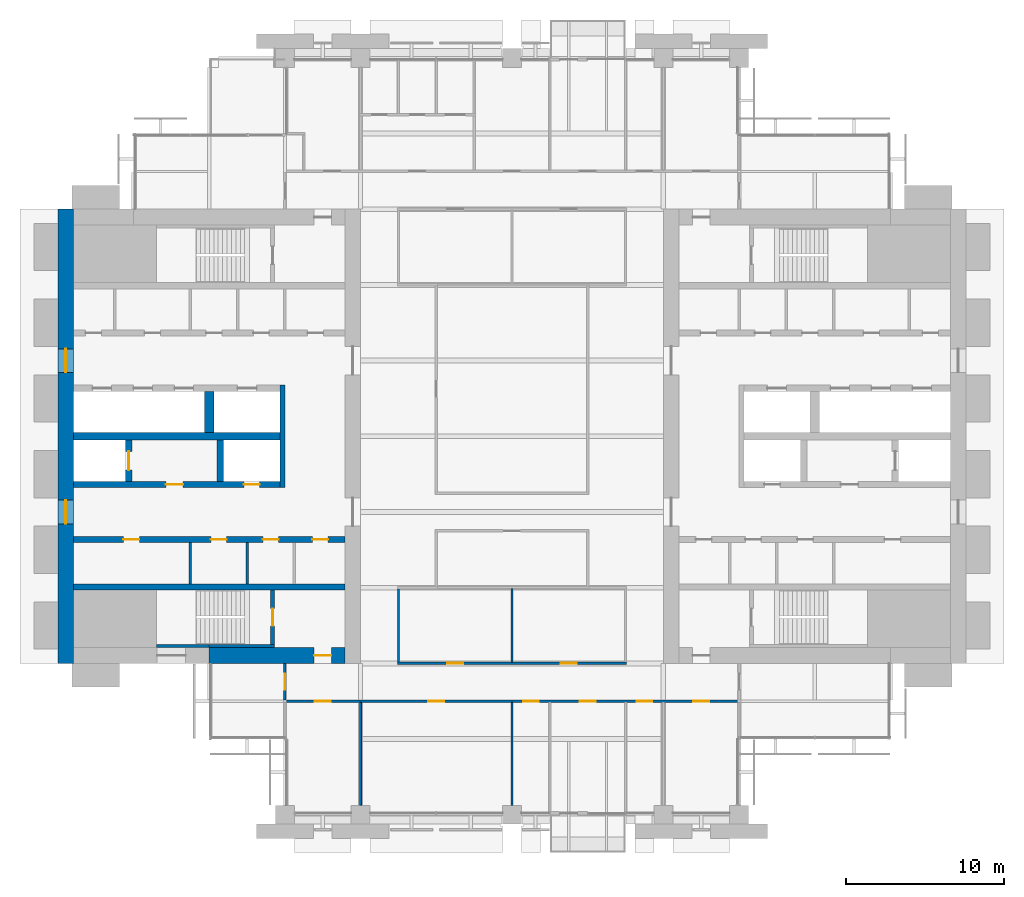
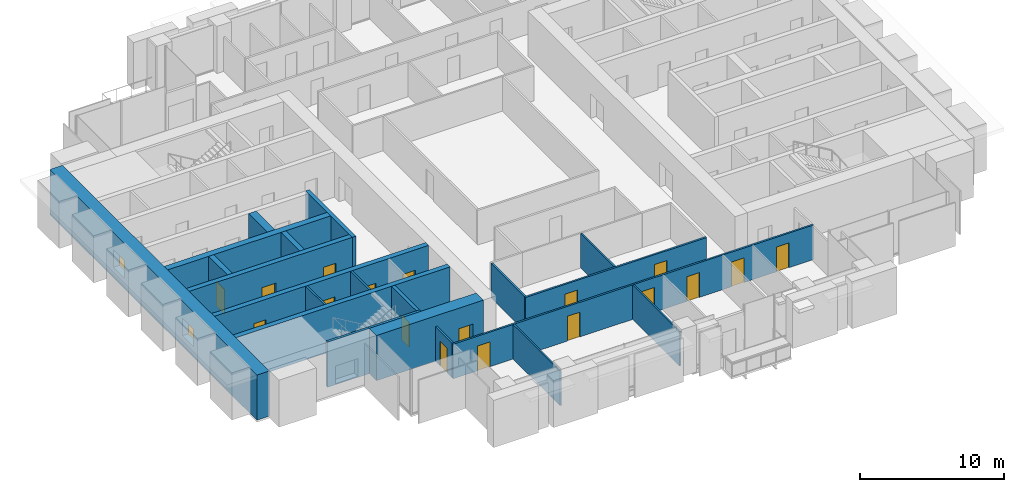
# One storey, part 9 of 15: 22 walls, 18 doors, 2 windows, 20 openings.
"""IFC4 building model written with IfcOpenShell, lengths in metres."""

from ifc_helpers import new_model, si_unit, direction, frame, frame_2d, origin, place, context, subcontext, project, spatial, rectangle, extrude, material, layer, layer_set, type_object, element, fill, save


model = new_model("IFC4")

# Units and contexts
model_context = context("Model", 3, precision=1e-05, world=origin(), true_north=direction((0.0, 1.0)))
body_context = subcontext(model_context, "Body", "Model", "MODEL_VIEW")
ifc_project = project(units=[si_unit("LENGTHUNIT", "METRE"), si_unit("AREAUNIT", "SQUARE_METRE"), si_unit("VOLUMEUNIT", "CUBIC_METRE"), si_unit("PLANEANGLEUNIT", "RADIAN"), si_unit("MASSUNIT", "GRAM", prefix="KILO")], contexts=[model_context])

# Site, building, storey
site_placement = place(None, origin())
site = spatial("IfcSite", under=ifc_project, at=site_placement, CompositionType="ELEMENT")
building_placement = place(site_placement, origin())
building = spatial("IfcBuilding", under=site, at=building_placement, Name="Baori Bourse Tower", CompositionType="ELEMENT")
storey_placement = place(building_placement, frame((0.0, 0.0, 116.10009765625)))
storey = spatial("IfcBuildingStorey", under=building, at=storey_placement, Name="L24", CompositionType="ELEMENT", Elevation=116.10009765625)

# Walls
ifc_material_1 = material(Name="Blockwork partition", Category="masonry")
ifc_layer_1 = layer(ifc_material_1, 0.14990234375)
ifc_layer_set_1 = layer_set([ifc_layer_1], Name="Core partition 150")
wall_type_1 = type_object("IfcWallType", Name="Core partition 150", PredefinedType="PARTITIONING", material=ifc_layer_set_1)
for number, where, z_axis, x_axis, name in (
    (1, (8.39990234375, 14.64990234375, 0.0), (0.0, 0.0, 1.0), (0.0, 1.0, 0.0), "Partition wall W10"),
    (2, (12.0, 14.64990234375, 0.0), (0.0, 0.0, 1.0), (0.0, 1.0, 0.0), "Partition wall W11"),
):
    element("IfcWall", number, at=place(storey_placement, frame(where, z_axis=z_axis, x_axis=x_axis)), inside=storey, type_object=wall_type_1, Name=name, PredefinedType="PARTITIONING", context=body_context, shape_type="SweptSolid", body=[
        extrude(rectangle(XDim=2.60009765625, YDim=0.14990234375, at=frame_2d((1.300048828125, 0.0))), origin(), (0.0, 0.0, 1.0), 3.83984375),
    ])

# Wall, openings, windows
ifc_material_2 = material(Name="Concrete f'c 60 MPa", Category="concrete")
ifc_layer_2 = layer(ifc_material_2, 1.0)
ifc_layer_set_2 = layer_set([ifc_layer_2], Name="Core wall 1000 f'c 60")
wall_type_2 = type_object("IfcWallType", Name="Core wall 1000 f'c 60", PredefinedType="SHEAR", material=ifc_layer_set_2)
wall_1_placement = place(storey_placement, frame((0.5, 9.60009765625, 0.0), z_axis=(0.0, 0.0, 1.0), x_axis=(0.0, 1.0, 0.0)))
wall_1 = element("IfcWall", 3, at=wall_1_placement, inside=storey, type_object=wall_type_2, Name="Core wall W01", PredefinedType="SHEAR", context=body_context, shape_type="SweptSolid", body=[
    extrude(rectangle(XDim=28.7998046875, YDim=1.0, at=frame_2d((14.39990234375, 0.0))), origin(), (0.0, 0.0, 1.0), 3.83984375),
])
opening_1_placement = place(wall_1_placement, frame((8.85009765625, 0.0, 0.89990234375)))
opening_1 = element("IfcOpeningElement", 4, at=opening_1_placement, cuts=wall_1, Name="Opening L24-KW101", PredefinedType="OPENING", context=body_context, shape_type="SweptSolid", body=[
    extrude(rectangle(XDim=1.5, YDim=1.5, at=frame_2d((0.75, 0.75))), frame((0.0, 0.510009765625, 0.0), z_axis=(0.0, -1.0, 0.0), x_axis=(1.0, 0.0, 0.0)), (0.0, 0.0, 1.0), 1.02001953125),
])
opening_2_placement = place(wall_1_placement, frame((18.449951171875, 0.0, 0.89990234375)))
opening_2 = element("IfcOpeningElement", 5, at=opening_2_placement, cuts=wall_1, Name="Opening L24-KW102", PredefinedType="OPENING", context=body_context, shape_type="SweptSolid", body=[
    extrude(rectangle(XDim=1.5, YDim=1.5, at=frame_2d((0.75, 0.75))), frame((0.0, 0.510009765625, 0.0), z_axis=(0.0, -1.0, 0.0), x_axis=(1.0, 0.0, 0.0)), (0.0, 0.0, 1.0), 1.02001953125),
])
ifc_material_3 = material(Name="Pale anodised aluminium", Category="aluminium")
window_type = type_object("IfcWindowType", Name="Lobby window 1500 x 1500", PartitioningType="SINGLE_PANEL", PredefinedType="WINDOW", material=ifc_material_3)
window_1_placement = place(opening_1_placement, origin())
window_1 = element("IfcWindow", 6, at=window_1_placement, inside=storey, type_object=window_type, Name="Outer wall window W L24 1", OverallHeight=1.5, OverallWidth=1.5, PartitioningType="SINGLE_PANEL", PredefinedType="WINDOW", context=body_context, shape_type="SweptSolid", body=[
    extrude(rectangle(XDim=1.5, YDim=1.5, at=frame_2d((0.75, 0.75))), frame((0.0, 0.030029296875, 0.0), z_axis=(0.0, -1.0, 0.0), x_axis=(1.0, 0.0, 0.0)), (0.0, 0.0, 1.0), 0.06005859375),
])
fill(opening_1, window_1)
window_2_placement = place(opening_2_placement, origin())
window_2 = element("IfcWindow", 7, at=window_2_placement, inside=storey, type_object=window_type, Name="Outer wall window W L24 2", OverallHeight=1.5, OverallWidth=1.5, PartitioningType="SINGLE_PANEL", PredefinedType="WINDOW", context=body_context, shape_type="SweptSolid", body=[
    extrude(rectangle(XDim=1.5, YDim=1.5, at=frame_2d((0.75, 0.75))), frame((0.0, 0.030029296875, 0.0), z_axis=(0.0, -1.0, 0.0), x_axis=(1.0, 0.0, 0.0)), (0.0, 0.0, 1.0), 0.06005859375),
])
fill(opening_2, window_2)

# Wall, opening, door
wall_2_placement = place(storey_placement, frame((18.199951171875, 10.10009765625, 0.0), z_axis=(0.0, 0.0, 1.0), x_axis=(-1.0, 0.0, 0.0)))
wall_2 = element("IfcWall", 8, at=wall_2_placement, inside=storey, type_object=wall_type_2, Name="Core wall W03", PredefinedType="SHEAR", context=body_context, shape_type="SweptSolid", body=[
    extrude(rectangle(XDim=8.599853515625, YDim=1.0, at=frame_2d((4.2998046875, 0.0))), origin(), (0.0, 0.0, 1.0), 3.83984375),
])
opening_3_placement = place(wall_2_placement, frame((0.85009765625, 0.0, 0.0)))
opening_3 = element("IfcOpeningElement", 9, at=opening_3_placement, cuts=wall_2, Name="Opening L24-D102", PredefinedType="OPENING", context=body_context, shape_type="SweptSolid", body=[
    extrude(rectangle(XDim=1.10009765625, YDim=2.10009765625, at=frame_2d((0.550048828125, 1.050048828125))), frame((0.0, 0.510009765625, 0.0), z_axis=(0.0, -1.0, 0.0), x_axis=(1.0, 0.0, 0.0)), (0.0, 0.0, 1.0), 1.02001953125),
])
ifc_material_4 = material(Name="Painted steel door", Category="steel")
door_type_1 = type_object("IfcDoorType", Name="Stair door 1100", OperationType="SINGLE_SWING_LEFT", PredefinedType="DOOR", material=ifc_material_4)
door_1_placement = place(opening_3_placement, origin())
door_1 = element("IfcDoor", 10, at=door_1_placement, inside=storey, type_object=door_type_1, Name="Stair vestibule door A W L24", OperationType="SINGLE_SWING_LEFT", OverallHeight=2.10009765625, OverallWidth=1.10009765625, PredefinedType="DOOR", context=body_context, shape_type="SweptSolid", body=[
    extrude(rectangle(XDim=1.10009765625, YDim=2.10009765625, at=frame_2d((0.550048828125, 1.050048828125))), frame((0.0, 0.02490234375, 0.0), z_axis=(0.0, -1.0, 0.0), x_axis=(1.0, 0.0, 0.0)), (0.0, 0.0, 1.0), 0.050048828125),
])
fill(opening_3, door_1)

# Wall, openings, doors
ifc_material_5 = material(Name="Gypsum board partition")
ifc_layer_3 = layer(ifc_material_5, 0.14990234375)
ifc_layer_set_3 = layer_set([ifc_layer_3], Name="Corridor partition 150")
wall_type_3 = type_object("IfcWallType", Name="Corridor partition 150", PredefinedType="PARTITIONING", material=ifc_layer_set_3)
wall_3_placement = place(storey_placement, frame((14.324951171875, 7.199951171875, 0.0), z_axis=(0.0, 0.0, 1.0), x_axis=(1.0, 0.0, 0.0)))
wall_3 = element("IfcWall", 11, at=wall_3_placement, inside=storey, type_object=wall_type_3, Name="Partition", PredefinedType="PARTITIONING", context=body_context, shape_type="SweptSolid", body=[
    extrude(rectangle(XDim=28.949951171875, YDim=0.14990234375, at=frame_2d((14.47509765625, 0.0))), origin(), (0.0, 0.0, 1.0), 2.935546875),
])
opening_4_placement = place(wall_3_placement, frame((1.97509765625, 0.0, 0.0)))
opening_4 = element("IfcOpeningElement", 12, at=opening_4_placement, cuts=wall_3, Name="Opening L24-D01", PredefinedType="OPENING", context=body_context, shape_type="SweptSolid", body=[
    extrude(rectangle(XDim=1.0, YDim=2.10009765625, at=frame_2d((0.5, 1.050048828125))), frame((0.0, 0.0849609375, 0.0), z_axis=(0.0, -1.0, 0.0), x_axis=(1.0, 0.0, 0.0)), (0.0, 0.0, 1.0), 0.169921875),
])
opening_5_placement = place(wall_3_placement, frame((9.175048828125, 0.0, 0.0)))
opening_5 = element("IfcOpeningElement", 13, at=opening_5_placement, cuts=wall_3, Name="Opening L24-D02", PredefinedType="OPENING", context=body_context, shape_type="SweptSolid", body=[
    extrude(rectangle(XDim=1.0, YDim=2.10009765625, at=frame_2d((0.5, 1.050048828125))), frame((0.0, 0.0849609375, 0.0), z_axis=(0.0, -1.0, 0.0), x_axis=(1.0, 0.0, 0.0)), (0.0, 0.0, 1.0), 0.169921875),
])
opening_6_placement = place(wall_3_placement, frame((15.175048828125, 0.0, 0.0)))
opening_6 = element("IfcOpeningElement", 14, at=opening_6_placement, cuts=wall_3, Name="Opening L24-D03", PredefinedType="OPENING", context=body_context, shape_type="SweptSolid", body=[
    extrude(rectangle(XDim=1.0, YDim=2.10009765625, at=frame_2d((0.5, 1.050048828125))), frame((0.0, 0.0849609375, 0.0), z_axis=(0.0, -1.0, 0.0), x_axis=(1.0, 0.0, 0.0)), (0.0, 0.0, 1.0), 0.169921875),
])
opening_7_placement = place(wall_3_placement, frame((18.77490234375, 0.0, 0.0)))
opening_7 = element("IfcOpeningElement", 15, at=opening_7_placement, cuts=wall_3, Name="Opening L24-D04", PredefinedType="OPENING", context=body_context, shape_type="SweptSolid", body=[
    extrude(rectangle(XDim=1.0, YDim=2.10009765625, at=frame_2d((0.5, 1.050048828125))), frame((0.0, 0.0849609375, 0.0), z_axis=(0.0, -1.0, 0.0), x_axis=(1.0, 0.0, 0.0)), (0.0, 0.0, 1.0), 0.169921875),
])
opening_8_placement = place(wall_3_placement, frame((22.375, 0.0, 0.0)))
opening_8 = element("IfcOpeningElement", 16, at=opening_8_placement, cuts=wall_3, Name="Opening L24-D05", PredefinedType="OPENING", context=body_context, shape_type="SweptSolid", body=[
    extrude(rectangle(XDim=1.0, YDim=2.10009765625, at=frame_2d((0.5, 1.050048828125))), frame((0.0, 0.0849609375, 0.0), z_axis=(0.0, -1.0, 0.0), x_axis=(1.0, 0.0, 0.0)), (0.0, 0.0, 1.0), 0.169921875),
])
opening_9_placement = place(wall_3_placement, frame((25.97509765625, 0.0, 0.0)))
opening_9 = element("IfcOpeningElement", 17, at=opening_9_placement, cuts=wall_3, Name="Opening L24-D06", PredefinedType="OPENING", context=body_context, shape_type="SweptSolid", body=[
    extrude(rectangle(XDim=1.0, YDim=2.10009765625, at=frame_2d((0.5, 1.050048828125))), frame((0.0, 0.0849609375, 0.0), z_axis=(0.0, -1.0, 0.0), x_axis=(1.0, 0.0, 0.0)), (0.0, 0.0, 1.0), 0.169921875),
])
ifc_material_6 = material(Name="Timber door leaf", Category="wood")
door_type_2 = type_object("IfcDoorType", Name="Door 1000 x 2100", OperationType="SINGLE_SWING_LEFT", PredefinedType="DOOR", material=ifc_material_6)
door_2_placement = place(opening_4_placement, origin())
door_2 = element("IfcDoor", 18, at=door_2_placement, inside=storey, type_object=door_type_2, Name="Door", OperationType="SINGLE_SWING_LEFT", OverallHeight=2.10009765625, OverallWidth=1.0, PredefinedType="DOOR", context=body_context, shape_type="SweptSolid", body=[
    extrude(rectangle(XDim=1.0, YDim=2.10009765625, at=frame_2d((0.5, 1.050048828125))), frame((0.0, 0.02490234375, 0.0), z_axis=(0.0, -1.0, 0.0), x_axis=(1.0, 0.0, 0.0)), (0.0, 0.0, 1.0), 0.050048828125),
])
fill(opening_4, door_2)
door_3_placement = place(opening_5_placement, origin())
door_3 = element("IfcDoor", 19, at=door_3_placement, inside=storey, type_object=door_type_2, Name="Door", OperationType="SINGLE_SWING_LEFT", OverallHeight=2.10009765625, OverallWidth=1.0, PredefinedType="DOOR", context=body_context, shape_type="SweptSolid", body=[
    extrude(rectangle(XDim=1.0, YDim=2.10009765625, at=frame_2d((0.5, 1.050048828125))), frame((0.0, 0.02490234375, 0.0), z_axis=(0.0, -1.0, 0.0), x_axis=(1.0, 0.0, 0.0)), (0.0, 0.0, 1.0), 0.050048828125),
])
fill(opening_5, door_3)
door_4_placement = place(opening_6_placement, origin())
door_4 = element("IfcDoor", 20, at=door_4_placement, inside=storey, type_object=door_type_2, Name="Door", OperationType="SINGLE_SWING_RIGHT", OverallHeight=2.10009765625, OverallWidth=1.0, PredefinedType="DOOR", context=body_context, shape_type="SweptSolid", body=[
    extrude(rectangle(XDim=1.0, YDim=2.10009765625, at=frame_2d((0.5, 1.050048828125))), frame((0.0, 0.02490234375, 0.0), z_axis=(0.0, -1.0, 0.0), x_axis=(1.0, 0.0, 0.0)), (0.0, 0.0, 1.0), 0.050048828125),
])
fill(opening_6, door_4)
door_5_placement = place(opening_7_placement, origin())
door_5 = element("IfcDoor", 21, at=door_5_placement, inside=storey, type_object=door_type_2, Name="Door", OperationType="SINGLE_SWING_RIGHT", OverallHeight=2.10009765625, OverallWidth=1.0, PredefinedType="DOOR", context=body_context, shape_type="SweptSolid", body=[
    extrude(rectangle(XDim=1.0, YDim=2.10009765625, at=frame_2d((0.5, 1.050048828125))), frame((0.0, 0.02490234375, 0.0), z_axis=(0.0, -1.0, 0.0), x_axis=(1.0, 0.0, 0.0)), (0.0, 0.0, 1.0), 0.050048828125),
])
fill(opening_7, door_5)
door_6_placement = place(opening_8_placement, origin())
door_6 = element("IfcDoor", 22, at=door_6_placement, inside=storey, type_object=door_type_2, Name="Door", OperationType="SINGLE_SWING_RIGHT", OverallHeight=2.10009765625, OverallWidth=1.0, PredefinedType="DOOR", context=body_context, shape_type="SweptSolid", body=[
    extrude(rectangle(XDim=1.0, YDim=2.10009765625, at=frame_2d((0.5, 1.050048828125))), frame((0.0, 0.02490234375, 0.0), z_axis=(0.0, -1.0, 0.0), x_axis=(1.0, 0.0, 0.0)), (0.0, 0.0, 1.0), 0.050048828125),
])
fill(opening_8, door_6)
door_7_placement = place(opening_9_placement, origin())
door_7 = element("IfcDoor", 23, at=door_7_placement, inside=storey, type_object=door_type_2, Name="Door", OperationType="SINGLE_SWING_RIGHT", OverallHeight=2.10009765625, OverallWidth=1.0, PredefinedType="DOOR", context=body_context, shape_type="SweptSolid", body=[
    extrude(rectangle(XDim=1.0, YDim=2.10009765625, at=frame_2d((0.5, 1.050048828125))), frame((0.0, 0.02490234375, 0.0), z_axis=(0.0, -1.0, 0.0), x_axis=(1.0, 0.0, 0.0)), (0.0, 0.0, 1.0), 0.050048828125),
])
fill(opening_9, door_7)

wall_4_placement = place(storey_placement, frame((21.52490234375, 9.60009765625, 0.0), z_axis=(0.0, 0.0, 1.0), x_axis=(1.0, 0.0, 0.0)))
wall_4 = element("IfcWall", 24, at=wall_4_placement, inside=storey, type_object=wall_type_3, Name="Partition", PredefinedType="PARTITIONING", context=body_context, shape_type="SweptSolid", body=[
    extrude(rectangle(XDim=14.550048828125, YDim=0.14990234375, at=frame_2d((7.27490234375, 0.0))), origin(), (0.0, 0.0, 1.0), 2.935546875),
])
opening_10_placement = place(wall_4_placement, frame((3.175048828125, 0.0, 0.0)))
opening_10 = element("IfcOpeningElement", 25, at=opening_10_placement, cuts=wall_4, Name="Opening L24-D07", PredefinedType="OPENING", context=body_context, shape_type="SweptSolid", body=[
    extrude(rectangle(XDim=1.0, YDim=2.10009765625, at=frame_2d((0.5, 1.050048828125))), frame((0.0, 0.0849609375, 0.0), z_axis=(0.0, -1.0, 0.0), x_axis=(1.0, 0.0, 0.0)), (0.0, 0.0, 1.0), 0.169921875),
])
opening_11_placement = place(wall_4_placement, frame((10.375, 0.0, 0.0)))
opening_11 = element("IfcOpeningElement", 26, at=opening_11_placement, cuts=wall_4, Name="Opening L24-D08", PredefinedType="OPENING", context=body_context, shape_type="SweptSolid", body=[
    extrude(rectangle(XDim=1.0, YDim=2.10009765625, at=frame_2d((0.5, 1.050048828125))), frame((0.0, 0.0849609375, 0.0), z_axis=(0.0, -1.0, 0.0), x_axis=(1.0, 0.0, 0.0)), (0.0, 0.0, 1.0), 0.169921875),
])
door_8_placement = place(opening_10_placement, origin())
door_8 = element("IfcDoor", 27, at=door_8_placement, inside=storey, type_object=door_type_2, Name="Door", OperationType="SINGLE_SWING_RIGHT", OverallHeight=2.10009765625, OverallWidth=1.0, PredefinedType="DOOR", context=body_context, shape_type="SweptSolid", body=[
    extrude(rectangle(XDim=1.0, YDim=2.10009765625, at=frame_2d((0.5, 1.050048828125))), frame((0.0, 0.02490234375, 0.0), z_axis=(0.0, -1.0, 0.0), x_axis=(1.0, 0.0, 0.0)), (0.0, 0.0, 1.0), 0.050048828125),
])
fill(opening_10, door_8)
door_9_placement = place(opening_11_placement, origin())
door_9 = element("IfcDoor", 28, at=door_9_placement, inside=storey, type_object=door_type_2, Name="Door", OperationType="SINGLE_SWING_LEFT", OverallHeight=2.10009765625, OverallWidth=1.0, PredefinedType="DOOR", context=body_context, shape_type="SweptSolid", body=[
    extrude(rectangle(XDim=1.0, YDim=2.10009765625, at=frame_2d((0.5, 1.050048828125))), frame((0.0, 0.02490234375, 0.0), z_axis=(0.0, -1.0, 0.0), x_axis=(1.0, 0.0, 0.0)), (0.0, 0.0, 1.0), 0.050048828125),
])
fill(opening_11, door_9)

# Wall, opening, door
wall_5_placement = place(storey_placement, frame((14.39990234375, 7.27490234375, 0.0), z_axis=(0.0, 0.0, 1.0), x_axis=(0.0, 1.0, 0.0)))
wall_5 = element("IfcWall", 29, at=wall_5_placement, inside=storey, type_object=wall_type_3, Name="Partition", PredefinedType="PARTITIONING", context=body_context, shape_type="SweptSolid", body=[
    extrude(rectangle(XDim=2.3251953125, YDim=0.14990234375, at=frame_2d((1.16259765625, 0.0))), origin(), (0.0, 0.0, 1.0), 2.935546875),
])
opening_12_placement = place(wall_5_placement, frame((0.66259765625, 0.0, 0.0)))
opening_12 = element("IfcOpeningElement", 30, at=opening_12_placement, cuts=wall_5, Name="Opening L24-D21", PredefinedType="OPENING", context=body_context, shape_type="SweptSolid", body=[
    extrude(rectangle(XDim=1.0, YDim=2.10009765625, at=frame_2d((0.5, 1.050048828125))), frame((0.0, 0.0849609375, 0.0), z_axis=(0.0, -1.0, 0.0), x_axis=(1.0, 0.0, 0.0)), (0.0, 0.0, 1.0), 0.169921875),
])
door_10_placement = place(opening_12_placement, origin())
door_10 = element("IfcDoor", 31, at=door_10_placement, inside=storey, type_object=door_type_2, Name="Door", OperationType="SINGLE_SWING_RIGHT", OverallHeight=2.10009765625, OverallWidth=1.0, PredefinedType="DOOR", context=body_context, shape_type="SweptSolid", body=[
    extrude(rectangle(XDim=1.0, YDim=2.10009765625, at=frame_2d((0.5, 1.050048828125))), frame((0.0, 0.02490234375, 0.0), z_axis=(0.0, -1.0, 0.0), x_axis=(1.0, 0.0, 0.0)), (0.0, 0.0, 1.0), 0.050048828125),
])
fill(opening_12, door_10)

# Walls
wall_6_placement = place(storey_placement, frame((21.60009765625, 9.675048828125, 0.0), z_axis=(0.0, 0.0, 1.0), x_axis=(0.0, 1.0, 0.0)))
element("IfcWall", 32, at=wall_6_placement, inside=storey, type_object=wall_type_3, Name="Partition", PredefinedType="PARTITIONING", context=body_context, shape_type="SweptSolid", body=[
    extrude(rectangle(XDim=4.64990234375, YDim=0.14990234375, at=frame_2d((2.324951171875, 0.0))), origin(), (0.0, 0.0, 1.0), 2.935546875),
])
ifc_material_7 = material(Name="Gypsum board partition")
ifc_layer_4 = layer(ifc_material_7, 0.125)
ifc_layer_set_4 = layer_set([ifc_layer_4], Name="Partition 125")
wall_type_4 = type_object("IfcWallType", Name="Partition 125", PredefinedType="PARTITIONING", material=ifc_layer_set_4)
for number, where, z_axis, x_axis, name in (
    (33, (19.199951171875, 0.60009765625, 0.0), (0.0, 0.0, 1.0), (0.0, 1.0, 0.0), "Partition"),
    (34, (28.800048828125, 0.60009765625, 0.0), (0.0, 0.0, 1.0), (0.0, 1.0, 0.0), "Partition"),
):
    element("IfcWall", number, at=place(storey_placement, frame(where, z_axis=z_axis, x_axis=x_axis)), inside=storey, type_object=wall_type_4, Name=name, PredefinedType="PARTITIONING", context=body_context, shape_type="SweptSolid", body=[
        extrude(rectangle(XDim=6.52490234375, YDim=0.125, at=frame_2d((3.262451171875, 0.0))), origin(), (0.0, 0.0, 1.0), 2.935546875),
    ])
wall_7_placement = place(storey_placement, frame((28.800048828125, 9.675048828125, 0.0), z_axis=(0.0, 0.0, 1.0), x_axis=(0.0, 1.0, 0.0)))
element("IfcWall", 35, at=wall_7_placement, inside=storey, type_object=wall_type_4, Name="Partition", PredefinedType="PARTITIONING", context=body_context, shape_type="SweptSolid", body=[
    extrude(rectangle(XDim=4.662353515625, YDim=0.125, at=frame_2d((2.3310546875, 0.0))), origin(), (0.0, 0.0, 1.0), 2.935546875),
])
ifc_material_8 = material(Name="Concrete f'c 60 MPa", Category="concrete")
ifc_layer_5 = layer(ifc_material_8, 0.199951171875)
ifc_layer_set_5 = layer_set([ifc_layer_5], Name="Shaft wall 200 f'c 60")
wall_type_5 = type_object("IfcWallType", Name="Shaft wall 200 f'c 60", PredefinedType="SHEAR", material=ifc_layer_set_5)
wall_8_placement = place(storey_placement, frame((6.25, 10.699951171875, 0.0), z_axis=(0.0, 0.0, 1.0), x_axis=(1.0, 0.0, 0.0)))
element("IfcWall", 36, at=wall_8_placement, inside=storey, type_object=wall_type_5, Name="Core wall W06", PredefinedType="SHEAR", context=body_context, shape_type="SweptSolid", body=[
    extrude(rectangle(XDim=3.35009765625, YDim=0.199951171875, at=frame_2d((1.675048828125, 0.0))), origin(), (0.0, 0.0, 1.0), 3.83984375),
])
wall_9_placement = place(storey_placement, frame((9.60009765625, 10.699951171875, 0.0), z_axis=(0.0, 0.0, 1.0), x_axis=(1.0, 0.0, 0.0)))
element("IfcWall", 37, at=wall_9_placement, inside=storey, type_object=wall_type_5, Name="Core wall W07", PredefinedType="SHEAR", context=body_context, shape_type="SweptSolid", body=[
    extrude(rectangle(XDim=4.14990234375, YDim=0.199951171875, at=frame_2d((2.074951171875, 0.0))), origin(), (0.0, 0.0, 1.0), 3.83984375),
])

# Wall, opening, door
ifc_material_9 = material(Name="Concrete f'c 60 MPa", Category="concrete")
ifc_layer_6 = layer(ifc_material_9, 0.25)
ifc_layer_set_6 = layer_set([ifc_layer_6], Name="Shaft wall 250 f'c 60")
wall_type_6 = type_object("IfcWallType", Name="Shaft wall 250 f'c 60", PredefinedType="SHEAR", material=ifc_layer_set_6)
wall_10_placement = place(storey_placement, frame((13.625, 10.800048828125, 0.0), z_axis=(0.0, 0.0, 1.0), x_axis=(0.0, 1.0, 0.0)))
wall_10 = element("IfcWall", 38, at=wall_10_placement, inside=storey, type_object=wall_type_6, Name="Core wall W08", PredefinedType="SHEAR", context=body_context, shape_type="SweptSolid", body=[
    extrude(rectangle(XDim=3.449951171875, YDim=0.25, at=frame_2d((1.72509765625, 0.0))), origin(), (0.0, 0.0, 1.0), 3.83984375),
])
opening_13_placement = place(wall_10_placement, frame((1.175048828125, 0.0, 0.0)))
opening_13 = element("IfcOpeningElement", 39, at=opening_13_placement, cuts=wall_10, Name="Opening L24-D101", PredefinedType="OPENING", context=body_context, shape_type="SweptSolid", body=[
    extrude(rectangle(XDim=1.10009765625, YDim=2.10009765625, at=frame_2d((0.550048828125, 1.050048828125))), frame((0.0, 0.135009765625, 0.0), z_axis=(0.0, -1.0, 0.0), x_axis=(1.0, 0.0, 0.0)), (0.0, 0.0, 1.0), 0.27001953125),
])
door_11_placement = place(opening_13_placement, origin())
door_11 = element("IfcDoor", 40, at=door_11_placement, inside=storey, type_object=door_type_1, Name="Stair door A W L24", OperationType="SINGLE_SWING_LEFT", OverallHeight=2.10009765625, OverallWidth=1.10009765625, PredefinedType="DOOR", context=body_context, shape_type="SweptSolid", body=[
    extrude(rectangle(XDim=1.10009765625, YDim=2.10009765625, at=frame_2d((0.550048828125, 1.050048828125))), frame((0.0, 0.02490234375, 0.0), z_axis=(0.0, -1.0, 0.0), x_axis=(1.0, 0.0, 0.0)), (0.0, 0.0, 1.0), 0.050048828125),
])
fill(opening_13, door_11)

# Walls
ifc_material_10 = material(Name="Concrete f'c 60 MPa", Category="concrete")
ifc_layer_7 = layer(ifc_material_10, 0.300048828125)
ifc_layer_set_7 = layer_set([ifc_layer_7], Name="Shaft wall 300 f'c 60")
wall_type_7 = type_object("IfcWallType", Name="Shaft wall 300 f'c 60", PredefinedType="SHEAR", material=ifc_layer_set_7)
wall_11_placement = place(storey_placement, frame((14.25, 20.75, 0.0), z_axis=(0.0, 0.0, 1.0), x_axis=(0.0, 1.0, 0.0)))
element("IfcWall", 41, at=wall_11_placement, inside=storey, type_object=wall_type_7, Name="Core wall W15", PredefinedType="SHEAR", context=body_context, shape_type="SweptSolid", body=[
    extrude(rectangle(XDim=6.5, YDim=0.300048828125, at=frame_2d((3.25, 0.0))), origin(), (0.0, 0.0, 1.0), 3.83984375),
])
ifc_material_11 = material(Name="Concrete f'c 60 MPa", Category="concrete")
ifc_layer_8 = layer(ifc_material_11, 0.39990234375)
ifc_layer_set_8 = layer_set([ifc_layer_8], Name="Shaft wall 400 f'c 60")
wall_type_8 = type_object("IfcWallType", Name="Shaft wall 400 f'c 60", PredefinedType="SHEAR", material=ifc_layer_set_8)
wall_12_placement = place(storey_placement, frame((1.0, 14.449951171875, 0.0), z_axis=(0.0, 0.0, 1.0), x_axis=(1.0, 0.0, 0.0)))
element("IfcWall", 42, at=wall_12_placement, inside=storey, type_object=wall_type_8, Name="Core wall W09", PredefinedType="SHEAR", context=body_context, shape_type="SweptSolid", body=[
    extrude(rectangle(XDim=17.199951171875, YDim=0.39990234375, at=frame_2d((8.60009765625, 0.0))), origin(), (0.0, 0.0, 1.0), 3.83984375),
])

# Wall, openings, doors
wall_13_placement = place(storey_placement, frame((1.0, 17.449951171875, 0.0), z_axis=(0.0, 0.0, 1.0), x_axis=(1.0, 0.0, 0.0)))
wall_13 = element("IfcWall", 43, at=wall_13_placement, inside=storey, type_object=wall_type_8, Name="Core wall W13", PredefinedType="SHEAR", context=body_context, shape_type="SweptSolid", body=[
    extrude(rectangle(XDim=17.199951171875, YDim=0.39990234375, at=frame_2d((8.60009765625, 0.0))), origin(), (0.0, 0.0, 1.0), 3.83984375),
])
opening_14_placement = place(wall_13_placement, frame((3.16259765625, 0.0, 0.0)))
opening_14 = element("IfcOpeningElement", 44, at=opening_14_placement, cuts=wall_13, Name="Opening L24-D114", PredefinedType="OPENING", context=body_context, shape_type="SweptSolid", body=[
    extrude(rectangle(XDim=1.0, YDim=2.10009765625, at=frame_2d((0.5, 1.050048828125))), frame((0.0, 0.2099609375, 0.0), z_axis=(0.0, -1.0, 0.0), x_axis=(1.0, 0.0, 0.0)), (0.0, 0.0, 1.0), 0.419921875),
])
opening_15_placement = place(wall_13_placement, frame((8.699951171875, 0.0, 0.0)))
opening_15 = element("IfcOpeningElement", 45, at=opening_15_placement, cuts=wall_13, Name="Opening L24-D115", PredefinedType="OPENING", context=body_context, shape_type="SweptSolid", body=[
    extrude(rectangle(XDim=1.0, YDim=2.10009765625, at=frame_2d((0.5, 1.050048828125))), frame((0.0, 0.2099609375, 0.0), z_axis=(0.0, -1.0, 0.0), x_axis=(1.0, 0.0, 0.0)), (0.0, 0.0, 1.0), 0.419921875),
])
opening_16_placement = place(wall_13_placement, frame((12.0, 0.0, 0.0)))
opening_16 = element("IfcOpeningElement", 46, at=opening_16_placement, cuts=wall_13, Name="Opening L24-D116", PredefinedType="OPENING", context=body_context, shape_type="SweptSolid", body=[
    extrude(rectangle(XDim=1.0, YDim=2.10009765625, at=frame_2d((0.5, 1.050048828125))), frame((0.0, 0.2099609375, 0.0), z_axis=(0.0, -1.0, 0.0), x_axis=(1.0, 0.0, 0.0)), (0.0, 0.0, 1.0), 0.419921875),
])
opening_17_placement = place(wall_13_placement, frame((15.137451171875, 0.0, 0.0)))
opening_17 = element("IfcOpeningElement", 47, at=opening_17_placement, cuts=wall_13, Name="Opening L24-D117", PredefinedType="OPENING", context=body_context, shape_type="SweptSolid", body=[
    extrude(rectangle(XDim=1.0, YDim=2.10009765625, at=frame_2d((0.5, 1.050048828125))), frame((0.0, 0.2099609375, 0.0), z_axis=(0.0, -1.0, 0.0), x_axis=(1.0, 0.0, 0.0)), (0.0, 0.0, 1.0), 0.419921875),
])
ifc_material_12 = material(Name="Painted steel door", Category="steel")
door_type_3 = type_object("IfcDoorType", Name="Core door 1000", OperationType="SINGLE_SWING_LEFT", PredefinedType="DOOR", material=ifc_material_12)
door_12_placement = place(opening_14_placement, origin())
door_12 = element("IfcDoor", 48, at=door_12_placement, inside=storey, type_object=door_type_3, Name="Men'S Wc door W L24", OperationType="SINGLE_SWING_LEFT", OverallHeight=2.10009765625, OverallWidth=1.0, PredefinedType="DOOR", context=body_context, shape_type="SweptSolid", body=[
    extrude(rectangle(XDim=1.0, YDim=2.10009765625, at=frame_2d((0.5, 1.050048828125))), frame((0.0, 0.02490234375, 0.0), z_axis=(0.0, -1.0, 0.0), x_axis=(1.0, 0.0, 0.0)), (0.0, 0.0, 1.0), 0.050048828125),
])
fill(opening_14, door_12)
door_13_placement = place(opening_15_placement, origin())
door_13 = element("IfcDoor", 49, at=door_13_placement, inside=storey, type_object=door_type_3, Name="Women'S Wc door W L24", OperationType="SINGLE_SWING_LEFT", OverallHeight=2.10009765625, OverallWidth=1.0, PredefinedType="DOOR", context=body_context, shape_type="SweptSolid", body=[
    extrude(rectangle(XDim=1.0, YDim=2.10009765625, at=frame_2d((0.5, 1.050048828125))), frame((0.0, 0.02490234375, 0.0), z_axis=(0.0, -1.0, 0.0), x_axis=(1.0, 0.0, 0.0)), (0.0, 0.0, 1.0), 0.050048828125),
])
fill(opening_15, door_13)
door_14_placement = place(opening_16_placement, origin())
door_14 = element("IfcDoor", 50, at=door_14_placement, inside=storey, type_object=door_type_3, Name="Accessible Wc door W L24", OperationType="SINGLE_SWING_LEFT", OverallHeight=2.10009765625, OverallWidth=1.0, PredefinedType="DOOR", context=body_context, shape_type="SweptSolid", body=[
    extrude(rectangle(XDim=1.0, YDim=2.10009765625, at=frame_2d((0.5, 1.050048828125))), frame((0.0, 0.02490234375, 0.0), z_axis=(0.0, -1.0, 0.0), x_axis=(1.0, 0.0, 0.0)), (0.0, 0.0, 1.0), 0.050048828125),
])
fill(opening_16, door_14)
door_15_placement = place(opening_17_placement, origin())
door_15 = element("IfcDoor", 51, at=door_15_placement, inside=storey, type_object=door_type_3, Name="Janitor'S Closet door W L24", OperationType="SINGLE_SWING_LEFT", OverallHeight=2.10009765625, OverallWidth=1.0, PredefinedType="DOOR", context=body_context, shape_type="SweptSolid", body=[
    extrude(rectangle(XDim=1.0, YDim=2.10009765625, at=frame_2d((0.5, 1.050048828125))), frame((0.0, 0.02490234375, 0.0), z_axis=(0.0, -1.0, 0.0), x_axis=(1.0, 0.0, 0.0)), (0.0, 0.0, 1.0), 0.050048828125),
])
fill(opening_17, door_15)

wall_14_placement = place(storey_placement, frame((1.0, 20.949951171875, 0.0), z_axis=(0.0, 0.0, 1.0), x_axis=(1.0, 0.0, 0.0)))
wall_14 = element("IfcWall", 52, at=wall_14_placement, inside=storey, type_object=wall_type_8, Name="Core wall W14", PredefinedType="SHEAR", context=body_context, shape_type="SweptSolid", body=[
    extrude(rectangle(XDim=13.10009765625, YDim=0.39990234375, at=frame_2d((6.550048828125, 0.0))), origin(), (0.0, 0.0, 1.0), 3.83984375),
])
opening_18_placement = place(wall_14_placement, frame((5.85009765625, 0.0, 0.0)))
opening_18 = element("IfcOpeningElement", 53, at=opening_18_placement, cuts=wall_14, Name="Opening L24-D105", PredefinedType="OPENING", context=body_context, shape_type="SweptSolid", body=[
    extrude(rectangle(XDim=1.10009765625, YDim=2.10009765625, at=frame_2d((0.550048828125, 1.050048828125))), frame((0.0, 0.2099609375, 0.0), z_axis=(0.0, -1.0, 0.0), x_axis=(1.0, 0.0, 0.0)), (0.0, 0.0, 1.0), 0.419921875),
])
opening_19_placement = place(wall_14_placement, frame((10.800048828125, 0.0, 0.0)))
opening_19 = element("IfcOpeningElement", 54, at=opening_19_placement, cuts=wall_14, Name="Opening L24-D106", PredefinedType="OPENING", context=body_context, shape_type="SweptSolid", body=[
    extrude(rectangle(XDim=1.0, YDim=2.10009765625, at=frame_2d((0.5, 1.050048828125))), frame((0.0, 0.2099609375, 0.0), z_axis=(0.0, -1.0, 0.0), x_axis=(1.0, 0.0, 0.0)), (0.0, 0.0, 1.0), 0.419921875),
])
ifc_material_13 = material(Name="Painted steel door", Category="steel")
door_type_4 = type_object("IfcDoorType", Name="Lobby door 1100", OperationType="SINGLE_SWING_LEFT", PredefinedType="DOOR", material=ifc_material_13)
door_16_placement = place(opening_18_placement, origin())
door_16 = element("IfcDoor", 55, at=door_16_placement, inside=storey, type_object=door_type_4, Name="Firefighting lobby door W L24", OperationType="SINGLE_SWING_LEFT", OverallHeight=2.10009765625, OverallWidth=1.10009765625, PredefinedType="DOOR", context=body_context, shape_type="SweptSolid", body=[
    extrude(rectangle(XDim=1.10009765625, YDim=2.10009765625, at=frame_2d((0.550048828125, 1.050048828125))), frame((0.0, 0.02490234375, 0.0), z_axis=(0.0, -1.0, 0.0), x_axis=(1.0, 0.0, 0.0)), (0.0, 0.0, 1.0), 0.050048828125),
])
fill(opening_18, door_16)
ifc_material_14 = material(Name="Painted steel door", Category="steel")
door_type_5 = type_object("IfcDoorType", Name="Shaft door 1000", OperationType="SINGLE_SWING_LEFT", PredefinedType="DOOR", material=ifc_material_14)
door_17_placement = place(opening_19_placement, origin())
door_17 = element("IfcDoor", 56, at=door_17_placement, inside=storey, type_object=door_type_5, Name="Riser room door W L24", OperationType="SINGLE_SWING_LEFT", OverallHeight=2.10009765625, OverallWidth=1.0, PredefinedType="DOOR", context=body_context, shape_type="SweptSolid", body=[
    extrude(rectangle(XDim=1.0, YDim=2.10009765625, at=frame_2d((0.5, 1.050048828125))), frame((0.0, 0.02490234375, 0.0), z_axis=(0.0, -1.0, 0.0), x_axis=(1.0, 0.0, 0.0)), (0.0, 0.0, 1.0), 0.050048828125),
])
fill(opening_19, door_17)

# Wall, opening, door
wall_15_placement = place(storey_placement, frame((4.5, 21.14990234375, 0.0), z_axis=(0.0, 0.0, 1.0), x_axis=(0.0, 1.0, 0.0)))
wall_15 = element("IfcWall", 57, at=wall_15_placement, inside=storey, type_object=wall_type_8, Name="Core wall W16", PredefinedType="SHEAR", context=body_context, shape_type="SweptSolid", body=[
    extrude(rectangle(XDim=2.60009765625, YDim=0.39990234375, at=frame_2d((1.300048828125, 0.0))), origin(), (0.0, 0.0, 1.0), 3.83984375),
])
opening_20_placement = place(wall_15_placement, frame((0.699951171875, 0.0, 0.0)))
opening_20 = element("IfcOpeningElement", 58, at=opening_20_placement, cuts=wall_15, Name="Opening L24-D122", PredefinedType="OPENING", context=body_context, shape_type="SweptSolid", body=[
    extrude(rectangle(XDim=1.199951171875, YDim=2.10009765625, at=frame_2d((0.60009765625, 1.050048828125))), frame((0.0, 0.2099609375, 0.0), z_axis=(0.0, -1.0, 0.0), x_axis=(1.0, 0.0, 0.0)), (0.0, 0.0, 1.0), 0.419921875),
])
ifc_material_15 = material(Name="Stainless steel door", Category="steel")
door_type_6 = type_object("IfcDoorType", Name="Lift landing door", OperationType="DOUBLE_DOOR_SLIDING", PredefinedType="DOOR", material=ifc_material_15)
door_18_placement = place(opening_20_placement, origin())
door_18 = element("IfcDoor", 59, at=door_18_placement, inside=storey, type_object=door_type_6, Name="Lift landing door FF1 W L24", OperationType="DOUBLE_DOOR_SLIDING", OverallHeight=2.10009765625, OverallWidth=1.199951171875, PredefinedType="DOOR", context=body_context, shape_type="SweptSolid", body=[
    extrude(rectangle(XDim=1.199951171875, YDim=2.10009765625, at=frame_2d((0.60009765625, 1.050048828125))), frame((0.0, 0.02490234375, 0.0), z_axis=(0.0, -1.0, 0.0), x_axis=(1.0, 0.0, 0.0)), (0.0, 0.0, 1.0), 0.050048828125),
])
fill(opening_20, door_18)

# Walls
wall_16_placement = place(storey_placement, frame((10.300048828125, 21.14990234375, 0.0), z_axis=(0.0, 0.0, 1.0), x_axis=(0.0, 1.0, 0.0)))
element("IfcWall", 60, at=wall_16_placement, inside=storey, type_object=wall_type_8, Name="Core wall W17", PredefinedType="SHEAR", context=body_context, shape_type="SweptSolid", body=[
    extrude(rectangle(XDim=2.60009765625, YDim=0.39990234375, at=frame_2d((1.300048828125, 0.0))), origin(), (0.0, 0.0, 1.0), 3.83984375),
])
ifc_material_16 = material(Name="Concrete f'c 60 MPa", Category="concrete")
ifc_layer_9 = layer(ifc_material_16, 0.5)
ifc_layer_set_9 = layer_set([ifc_layer_9], Name="Shaft wall 500 f'c 60")
wall_type_9 = type_object("IfcWallType", Name="Shaft wall 500 f'c 60", PredefinedType="SHEAR", material=ifc_layer_set_9)
wall_17_placement = place(storey_placement, frame((1.0, 24.0, 0.0), z_axis=(0.0, 0.0, 1.0), x_axis=(1.0, 0.0, 0.0)))
element("IfcWall", 61, at=wall_17_placement, inside=storey, type_object=wall_type_9, Name="Core wall W18", PredefinedType="SHEAR", context=body_context, shape_type="SweptSolid", body=[
    extrude(rectangle(XDim=13.10009765625, YDim=0.5, at=frame_2d((6.550048828125, 0.0))), origin(), (0.0, 0.0, 1.0), 3.83984375),
])
ifc_material_17 = material(Name="Concrete f'c 60 MPa", Category="concrete")
ifc_layer_10 = layer(ifc_material_17, 0.60009765625)
ifc_layer_set_10 = layer_set([ifc_layer_10], Name="Shaft wall 600 f'c 60")
wall_type_10 = type_object("IfcWallType", Name="Shaft wall 600 f'c 60", PredefinedType="SHEAR", material=ifc_layer_set_10)
wall_18_placement = place(storey_placement, frame((9.60009765625, 24.25, 0.0), z_axis=(0.0, 0.0, 1.0), x_axis=(0.0, 1.0, 0.0)))
element("IfcWall", 62, at=wall_18_placement, inside=storey, type_object=wall_type_10, Name="Core wall W19", PredefinedType="SHEAR", context=body_context, shape_type="SweptSolid", body=[
    extrude(rectangle(XDim=2.60009765625, YDim=0.60009765625, at=frame_2d((1.300048828125, 0.0))), origin(), (0.0, 0.0, 1.0), 3.83984375),
])

save(model, "model.ifc")
